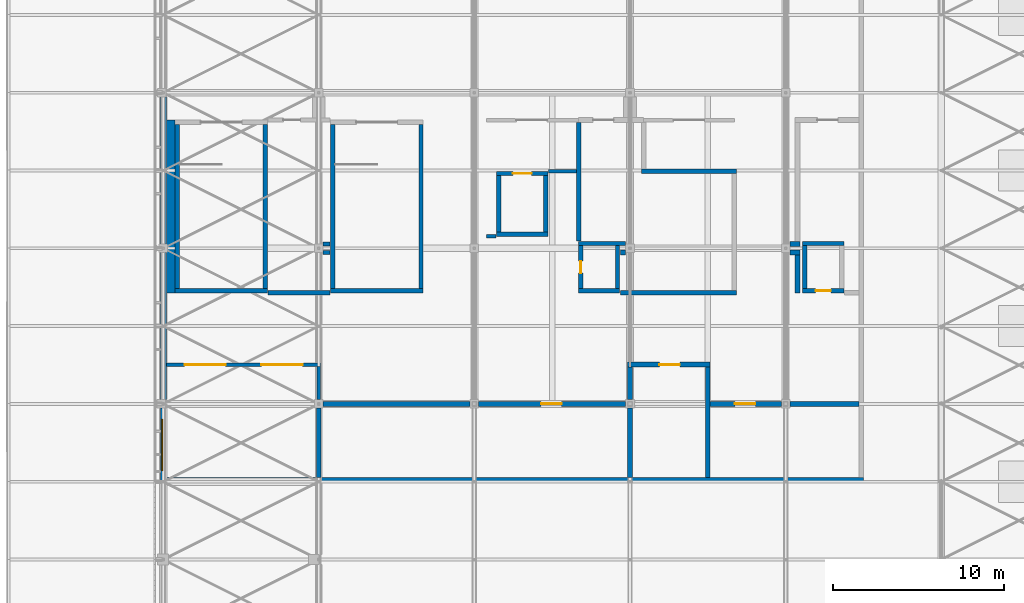
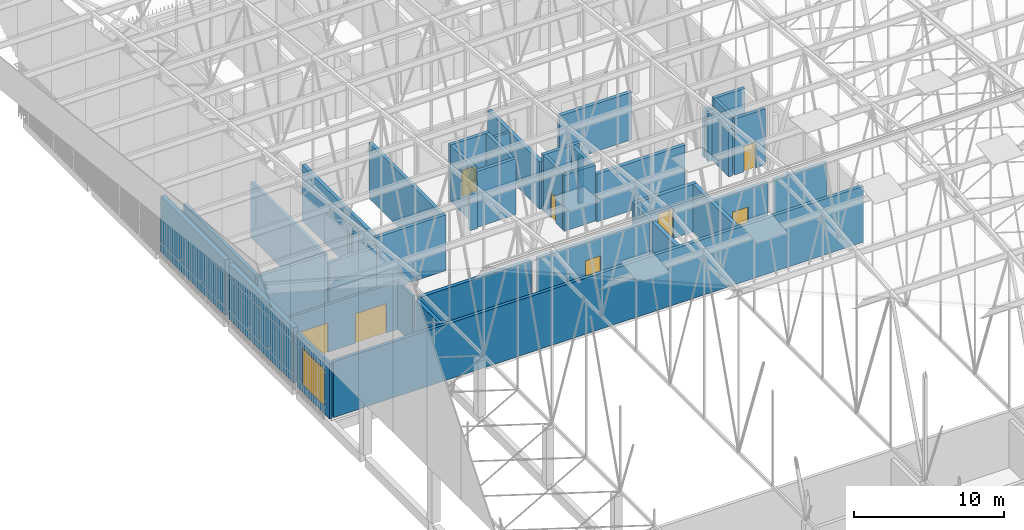
# One storey, part 429 of 500: 45 walls, 8 doors, 1 window, 9 openings.
"""IFC4 building model written with IfcOpenShell, lengths in metres."""

import ifcopenshell
import ifcopenshell.guid

model = None  # the IFC model being written
_history = None  # IfcOwnerHistory: only IFC2X3 demands one
_inside = {}  # id of a spatial element -> (the spatial element, [elements in it])
_under = {}  # id of a project, library or spatial element -> (it, [spatial elements below it])
_declared = {}  # id of a project -> (the project, [libraries it declares])
_typed = {}  # id of a type object -> (the type object, [elements of that type])
_made_of = {}  # id of a material, layer set ... -> (it, [elements and type objects made of it])


def new_model(schema):
    """Start an empty IFC model of exactly this schema.

    Asked for "IFC4X3", IfcOpenShell would pick the latest addendum, in which some entities
    have other attributes; the version numbers below select the first issue.
    IFC2X3 requires an IfcOwnerHistory on every rooted entity: one is made here for all.
    """
    global model, _history
    if schema == "IFC4X3":
        model = ifcopenshell.file(schema_version=(4, 3, 0, 0))
    else:
        model = ifcopenshell.file(schema=schema)
    _inside.clear()
    _under.clear()
    _declared.clear()
    _typed.clear()
    _made_of.clear()
    _history = None
    if model.schema == "IFC2X3":
        org = make("IfcOrganization", Name="unknown")
        user = make(
            "IfcPersonAndOrganization",
            ThePerson=make("IfcPerson", FamilyName="unknown"),
            TheOrganization=org,
        )
        app = make(
            "IfcApplication",
            ApplicationDeveloper=org,
            Version="unknown",
            ApplicationFullName="unknown",
            ApplicationIdentifier="unknown",
        )
        _history = make(
            "IfcOwnerHistory",
            OwningUser=user,
            OwningApplication=app,
            ChangeAction="ADDED",
            CreationDate=0,
        )
    return model


def make(cls, **values):
    """One entity of the class cls with the attributes given. An attribute that is None is left unset."""
    return model.create_entity(
        cls, **{name: value for name, value in values.items() if value is not None}
    )


def rooted(cls, **values):
    """An entity with a GlobalId (a new one), such as an element, a storey or a relation."""
    return make(cls, GlobalId=ifcopenshell.guid.new(), OwnerHistory=_history, **values)


def si_unit(unit_type, name, prefix=None):
    """IfcSIUnit, for example si_unit("LENGTHUNIT", "METRE", prefix="MILLI")."""
    return make("IfcSIUnit", UnitType=unit_type, Prefix=prefix, Name=name)


def assignment(units):
    """IfcUnitAssignment: the units of a project."""
    return None if units is None else make("IfcUnitAssignment", Units=units)


def point(xyz):
    """IfcCartesianPoint."""
    return None if xyz is None else make("IfcCartesianPoint", Coordinates=xyz)


def direction(xyz):
    """IfcDirection."""
    return None if xyz is None else make("IfcDirection", DirectionRatios=xyz)


def frame(location, z_axis=None, x_axis=None):
    """IfcAxis2Placement3D, a coordinate frame: its origin and axes. An axis left out is left unset."""
    return make(
        "IfcAxis2Placement3D",
        Location=point(location),
        Axis=direction(z_axis),
        RefDirection=direction(x_axis),
    )


def frame_2d(location, x_axis=None):
    """IfcAxis2Placement2D, a coordinate frame in the plane: its origin and x axis."""
    return make(
        "IfcAxis2Placement2D", Location=point(location), RefDirection=direction(x_axis)
    )


def origin():
    """The frame at (0, 0, 0) with its axes left unset."""
    return frame((0.0, 0.0, 0.0))


def place(relative_to, where):
    """IfcLocalPlacement: puts the frame where relative to a parent placement (None: the world)."""
    return make(
        "IfcLocalPlacement", PlacementRelTo=relative_to, RelativePlacement=where
    )


def context(
    kind, dimensions, precision=None, world=None, true_north=None, identifier=None
):
    """IfcGeometricRepresentationContext, for example the 3D "Model" context."""
    return make(
        "IfcGeometricRepresentationContext",
        ContextIdentifier=identifier,
        ContextType=kind,
        CoordinateSpaceDimension=dimensions,
        Precision=precision,
        WorldCoordinateSystem=world,
        TrueNorth=true_north,
    )


def subcontext(parent, identifier, kind, view, scale=None):
    """IfcGeometricRepresentationSubContext, for example "Body" below "Model"."""
    return make(
        "IfcGeometricRepresentationSubContext",
        ContextIdentifier=identifier,
        ContextType=kind,
        ParentContext=parent,
        TargetScale=scale,
        TargetView=view,
    )


def project(units=None, contexts=None):
    """IfcProject with its units and contexts."""
    return rooted(
        "IfcProject",
        Name="project",
        RepresentationContexts=contexts,
        UnitsInContext=assignment(units),
    )


def spatial(cls, under=None, at=None, **own):
    """A site, building, storey or space (cls), placed at a placement, below another one or the project."""
    s = rooted(cls, ObjectPlacement=at, **own)
    if under is not None:
        _under.setdefault(under.id(), (under, []))[1].append(s)
    return s


def profile(cls, at=None, kind="AREA", **sizes):
    """A parametric profile (cls). Its sizes go by their IFC names, for example OverallWidth=200.0."""
    return make(cls, ProfileType=kind, Position=at, **sizes)


def rectangle(**sizes):
    """IfcRectangleProfileDef."""
    return profile("IfcRectangleProfileDef", **sizes)


def extrude(swept, where, along, depth):
    """IfcExtrudedAreaSolid: the profile swept, set in the frame where, extruded along a direction by depth."""
    return make(
        "IfcExtrudedAreaSolid",
        SweptArea=swept,
        Position=where,
        ExtrudedDirection=direction(along),
        Depth=depth,
    )


def shape(context_of_items, identifier, shape_type, items):
    """IfcShapeRepresentation: the items that make up one representation, for example the "Body"."""
    return make(
        "IfcShapeRepresentation",
        ContextOfItems=context_of_items,
        RepresentationIdentifier=identifier,
        RepresentationType=shape_type,
        Items=items,
    )


def material(Name=None, Category=None):
    """IfcMaterial."""
    return make("IfcMaterial", Name=Name, Category=Category)


def layer(
    of_material, thickness, ventilated=None, Name=None, Category=None, Priority=None
):
    """IfcMaterialLayer: one layer of a wall or slab, of a material (None: an air gap)."""
    return make(
        "IfcMaterialLayer",
        Material=of_material,
        LayerThickness=thickness,
        IsVentilated=ventilated,
        Name=Name,
        Category=Category,
        Priority=Priority,
    )


def layer_set(layers, Name=None):
    """IfcMaterialLayerSet."""
    return make("IfcMaterialLayerSet", MaterialLayers=layers, LayerSetName=Name)


def made_of(thing, what):
    """Note that an element or type object is made of a material, layer set ...; save() writes the relation."""
    if what is not None:
        _made_of.setdefault(what.id(), (what, []))[1].append(thing)
    return thing


def type_object(cls, material=None, **own):
    """A type object (cls), such as IfcWallType, which elements share."""
    return made_of(rooted(cls, **own), material)


def element(
    cls,
    number,
    at=None,
    inside=None,
    cuts=None,
    type_object=None,
    material=None,
    context=None,
    identifier="Body",
    shape_type=None,
    held_by="IfcProductDefinitionShape",
    body=None,
    shapes=None,
    **own,
):
    """One element of the class cls, such as IfcWall. Its Tag is "e" and its number.

    at: its placement. inside: the storey or other place that contains it. cuts: it is an
    opening in that element (IfcRelVoidsElement). A single representation is given by context,
    identifier, shape_type and body (its items); several are given by shapes. held_by: the class
    of the entity that holds the representations. save() writes the other relations.
    """
    e = rooted(cls, Tag="e%d" % number, ObjectPlacement=at, **own)
    if body is not None:
        shapes = [shape(context, identifier, shape_type, body)]
    if shapes is not None:
        e.Representation = make(held_by, Representations=shapes)
    if inside is not None:
        _inside.setdefault(inside.id(), (inside, []))[1].append(e)
    if cuts is not None:
        rooted(
            "IfcRelVoidsElement", RelatingBuildingElement=cuts, RelatedOpeningElement=e
        )
    if type_object is not None:
        _typed.setdefault(type_object.id(), (type_object, []))[1].append(e)
    return made_of(e, material)


def fill(opening, filler):
    """IfcRelFillsElement: the door or window that sits in an opening."""
    return rooted(
        "IfcRelFillsElement",
        RelatingOpeningElement=opening,
        RelatedBuildingElement=filler,
    )


def aggregate(whole, parts):
    """IfcRelAggregates: a whole, such as a stair, and the parts it consists of."""
    return rooted("IfcRelAggregates", RelatingObject=whole, RelatedObjects=parts)


def save(model, path):
    """Write the relations noted so far, then the file.

    IfcRelAggregates (storeys below a building ...), IfcRelContainedInSpatialStructure (elements
    in a storey), IfcRelDefinesByType, IfcRelAssociatesMaterial and IfcRelDeclares: one each for
    every whole, place, type object, material and project.
    """
    for whole, parts in _under.values():
        aggregate(whole, parts)
    for where, things in _inside.values():
        rooted(
            "IfcRelContainedInSpatialStructure",
            RelatedElements=things,
            RelatingStructure=where,
        )
    for kind, things in _typed.values():
        rooted("IfcRelDefinesByType", RelatedObjects=things, RelatingType=kind)
    for what, things in _made_of.values():
        rooted("IfcRelAssociatesMaterial", RelatedObjects=things, RelatingMaterial=what)
    for by, libraries in _declared.values():
        rooted("IfcRelDeclares", RelatingContext=by, RelatedDefinitions=libraries)
    model.write(path)


model = new_model("IFC4")

# Units and contexts
model_context = context("Model", 3, precision=1e-05, world=origin(), true_north=direction((0.0, 1.0)))
body_context = subcontext(model_context, "Body", "Model", "MODEL_VIEW")
ifc_project = project(units=[si_unit("LENGTHUNIT", "METRE"), si_unit("AREAUNIT", "SQUARE_METRE"), si_unit("VOLUMEUNIT", "CUBIC_METRE"), si_unit("PLANEANGLEUNIT", "RADIAN"), si_unit("MASSUNIT", "GRAM", prefix="KILO")], contexts=[model_context])

# Site, building, storey
site_placement = place(None, origin())
site = spatial("IfcSite", under=ifc_project, at=site_placement, CompositionType="ELEMENT")
building_placement = place(site_placement, origin())
building = spatial("IfcBuilding", under=site, at=building_placement, Name="Shirokan Park Arena", CompositionType="ELEMENT")
storey_placement = place(building_placement, frame((0.0, 0.0, 29.1201171875)))
storey = spatial("IfcBuildingStorey", under=building, at=storey_placement, Name="L06", CompositionType="ELEMENT", Elevation=29.1201171875)

# Walls
ifc_material_1 = material(Name="Plaster")
ifc_layer_1 = layer(ifc_material_1, 0.014892578125, Name="Plaster")
ifc_material_2 = material(Name="Concrete blockwork", Category="masonry")
ifc_layer_2 = layer(ifc_material_2, 0.219970703125, Name="Concrete blockwork 220")
ifc_layer_3 = layer(ifc_material_1, 0.014892578125, Name="Plaster")
ifc_layer_set_1 = layer_set([ifc_layer_1, ifc_layer_2, ifc_layer_3], Name="Plaster + Concrete blockwork 220")
wall_type_1 = type_object("IfcWallType", Name="Compartment wall 250", PredefinedType="SOLIDWALL", material=ifc_layer_set_1)
wall_1_placement = place(storey_placement, frame((9.35009765625, 81.64990234375, 0.0), z_axis=(0.0, 0.0, 1.0), x_axis=(1.0, 0.0, 0.0)))
element("IfcWall", 1, at=wall_1_placement, inside=storey, type_object=wall_type_1, Name="Compartment wall 250 L06", PredefinedType="SOLIDWALL", context=body_context, shape_type="SweptSolid", body=[
    extrude(rectangle(XDim=0.419921875, YDim=0.25, at=frame_2d((0.2099609375, 0.0))), origin(), (0.0, 0.0, 1.0), 3.8798828125),
])
wall_2_placement = place(storey_placement, frame((9.77001953125, 79.300048828125, 0.0), z_axis=(0.0, 0.0, 1.0), x_axis=(-1.0, 0.0, 0.0)))
element("IfcWall", 2, at=wall_2_placement, inside=storey, type_object=wall_type_1, Name="Compartment wall 250 L06", PredefinedType="SOLIDWALL", context=body_context, shape_type="SweptSolid", body=[
    extrude(rectangle(XDim=3.64013671875, YDim=0.25, at=frame_2d((1.820068359375, 0.0))), origin(), (0.0, 0.0, 1.0), 3.8798828125),
])
wall_3_placement = place(storey_placement, frame((9.77001953125, 82.14990234375, 0.0), z_axis=(0.0, 0.0, 1.0), x_axis=(-1.0, 0.0, 0.0)))
element("IfcWall", 3, at=wall_3_placement, inside=storey, type_object=wall_type_1, Name="Compartment wall 250 L06", PredefinedType="SOLIDWALL", context=body_context, shape_type="SweptSolid", body=[
    extrude(rectangle(XDim=0.419921875, YDim=0.25, at=frame_2d((0.2099609375, 0.0))), origin(), (0.0, 0.0, 1.0), 3.8798828125),
])
ifc_material_3 = material(Name="Gypsum board")
ifc_layer_4 = layer(ifc_material_3, 0.02490234375, Name="Gypsum board, two layers")
ifc_material_4 = material(Name="Mineral wool insulation")
ifc_layer_5 = layer(ifc_material_4, 0.14990234375, Name="Mineral wool insulation")
ifc_layer_6 = layer(ifc_material_3, 0.02490234375, Name="Gypsum board, two layers")
ifc_layer_set_2 = layer_set([ifc_layer_4, ifc_layer_5, ifc_layer_6], Name="Gypsum board, two layers + Mineral wool insulation")
wall_type_2 = type_object("IfcWallType", Name="Corridor wall 200", PredefinedType="PARTITIONING", material=ifc_layer_set_2)
wall_4_placement = place(storey_placement, frame((9.10009765625, 73.050048828125, 0.0), z_axis=(0.0, 0.0, 1.0), x_axis=(0.0, 1.0, 0.0)))
element("IfcWall", 4, at=wall_4_placement, inside=storey, type_object=wall_type_2, Name="Corridor wall 200 L06", PredefinedType="PARTITIONING", context=body_context, shape_type="SweptSolid", body=[
    extrude(rectangle(XDim=1.949951171875, YDim=0.199951171875, at=frame_2d((0.97509765625, 0.0))), origin(), (0.0, 0.0, 1.0), 3.8798828125),
])

# Wall, openings, doors
wall_5_placement = place(storey_placement, frame((9.199951171875, 75.10009765625, 0.0), z_axis=(0.0, 0.0, 1.0), x_axis=(-1.0, 0.0, 0.0)))
wall_5 = element("IfcWall", 5, at=wall_5_placement, inside=storey, type_object=wall_type_2, Name="Corridor wall 200 L06", PredefinedType="PARTITIONING", context=body_context, shape_type="SweptSolid", body=[
    extrude(rectangle(XDim=9.0, YDim=0.199951171875, at=frame_2d((4.5, 0.0))), origin(), (0.0, 0.0, 1.0), 3.8798828125),
])
opening_1_placement = place(wall_5_placement, frame((1.050048828125, 0.0, 0.0)))
opening_1 = element("IfcOpeningElement", 6, at=opening_1_placement, cuts=wall_5, Name="Opening D-6056", PredefinedType="OPENING", context=body_context, shape_type="SweptSolid", body=[
    extrude(rectangle(XDim=2.39990234375, YDim=2.39990234375, at=frame_2d((1.199951171875, 1.199951171875))), frame((0.0, 0.10986328125, 0.0), z_axis=(0.0, -1.0, 0.0), x_axis=(1.0, 0.0, 0.0)), (0.0, 0.0, 1.0), 0.219970703125),
])
opening_2_placement = place(wall_5_placement, frame((5.550048828125, 0.0, 0.0)))
opening_2 = element("IfcOpeningElement", 7, at=opening_2_placement, cuts=wall_5, Name="Opening D-6057", PredefinedType="OPENING", context=body_context, shape_type="SweptSolid", body=[
    extrude(rectangle(XDim=2.39990234375, YDim=2.39990234375, at=frame_2d((1.199951171875, 1.199951171875))), frame((0.0, 0.10986328125, 0.0), z_axis=(0.0, -1.0, 0.0), x_axis=(1.0, 0.0, 0.0)), (0.0, 0.0, 1.0), 0.219970703125),
])
ifc_material_5 = material(Name="Steel door set, fire resisting", Category="steel")
door_type_1 = type_object("IfcDoorType", Name="Double door 2400 x 2400", OperationType="DOUBLE_DOOR_SINGLE_SWING", PredefinedType="DOOR", material=ifc_material_5)
door_1_placement = place(opening_1_placement, origin())
door_1 = element("IfcDoor", 8, at=door_1_placement, inside=storey, type_object=door_type_1, Name="Door between Service Corridor 4.6 and Concourse Link 4.6 D-6056", OperationType="DOUBLE_DOOR_SINGLE_SWING", OverallHeight=2.39990234375, OverallWidth=2.39990234375, PredefinedType="DOOR", context=body_context, shape_type="SweptSolid", body=[
    extrude(rectangle(XDim=2.39990234375, YDim=2.39990234375, at=frame_2d((1.199951171875, 1.199951171875))), frame((0.0, 0.02490234375, 0.0), z_axis=(0.0, -1.0, 0.0), x_axis=(1.0, 0.0, 0.0)), (0.0, 0.0, 1.0), 0.050048828125),
])
fill(opening_1, door_1)
door_2_placement = place(opening_2_placement, origin())
door_2 = element("IfcDoor", 9, at=door_2_placement, inside=storey, type_object=door_type_1, Name="Door between Service Corridor 4.6 and Concourse Link 4.6 D-6057", OperationType="DOUBLE_DOOR_SINGLE_SWING", OverallHeight=2.39990234375, OverallWidth=2.39990234375, PredefinedType="DOOR", context=body_context, shape_type="SweptSolid", body=[
    extrude(rectangle(XDim=2.39990234375, YDim=2.39990234375, at=frame_2d((1.199951171875, 1.199951171875))), frame((0.0, 0.02490234375, 0.0), z_axis=(0.0, -1.0, 0.0), x_axis=(1.0, 0.0, 0.0)), (0.0, 0.0, 1.0), 0.050048828125),
])
fill(opening_2, door_2)

# Walls
wall_6_placement = place(storey_placement, frame((19.469970703125, 82.60009765625, 0.0), z_axis=(0.0, 0.0, 1.0), x_axis=(-1.0, 0.0, 0.0)))
element("IfcWall", 10, at=wall_6_placement, inside=storey, type_object=wall_type_2, Name="Corridor wall 200 L06", PredefinedType="PARTITIONING", context=body_context, shape_type="SweptSolid", body=[
    extrude(rectangle(XDim=0.570068359375, YDim=0.199951171875, at=frame_2d((0.28515625, 0.0))), origin(), (0.0, 0.0, 1.0), 3.8798828125),
])
wall_7_placement = place(storey_placement, frame((24.16259765625, 86.39990234375, 0.0), z_axis=(0.0, 0.0, 1.0), x_axis=(-1.0, 0.0, 0.0)))
element("IfcWall", 11, at=wall_7_placement, inside=storey, type_object=wall_type_2, Name="Corridor wall 200 L06", PredefinedType="PARTITIONING", context=body_context, shape_type="SweptSolid", body=[
    extrude(rectangle(XDim=1.632568359375, YDim=0.199951171875, at=frame_2d((0.81640625, 0.0))), origin(), (0.0, 0.0, 1.0), 3.8798828125),
])
ifc_material_6 = material(Name="Cedar cladding")
ifc_layer_7 = layer(ifc_material_6, 0.030029296875, Name="Cedar cladding")
ifc_layer_8 = layer(ifc_material_4, 0.10009765625, Name="Mineral wool insulation")
ifc_material_7 = material(Name="Concrete C35", Category="concrete")
ifc_layer_9 = layer(ifc_material_7, 0.199951171875, Name="Concrete C35")
ifc_material_8 = material(Name="Gypsum board lining")
ifc_layer_10 = layer(ifc_material_8, 0.02001953125, Name="Gypsum board lining")
ifc_layer_set_3 = layer_set([ifc_layer_7, ifc_layer_8, ifc_layer_9, ifc_layer_10], Name="Cedar cladding + Mineral wool insulation + Concrete C35 + Gypsum board lining")
wall_type_3 = type_object("IfcWallType", Name="Insulated tower wall 350", PredefinedType="SOLIDWALL", material=ifc_layer_set_3)
wall_8_placement = place(storey_placement, frame((0.02490234375, 90.75, 0.0), z_axis=(0.0, 0.0, 1.0), x_axis=(0.0, -1.0, 0.0)))
element("IfcWall", 12, at=wall_8_placement, inside=storey, type_object=wall_type_3, Name="West facade wall bay 3 L06", PredefinedType="SOLIDWALL", context=body_context, shape_type="SweptSolid", body=[
    extrude(rectangle(XDim=8.60009765625, YDim=0.35009765625, at=frame_2d((4.300048828125, 0.0))), origin(), (0.0, 0.0, 1.0), 4.5),
])
wall_9_placement = place(storey_placement, frame((0.02490234375, 81.64990234375, 0.0), z_axis=(0.0, 0.0, 1.0), x_axis=(0.0, -1.0, 0.0)))
element("IfcWall", 13, at=wall_9_placement, inside=storey, type_object=wall_type_3, Name="West facade wall bay 4 L06", PredefinedType="SOLIDWALL", context=body_context, shape_type="SweptSolid", body=[
    extrude(rectangle(XDim=8.599853515625, YDim=0.35009765625, at=frame_2d((4.2998046875, 0.0))), origin(), (0.0, 0.0, 1.0), 4.5),
])

# Wall, opening, window
ifc_layer_11 = layer(ifc_material_7, 0.14990234375, Name="Concrete C35")
ifc_layer_12 = layer(ifc_material_4, 0.050048828125, Name="Mineral wool insulation")
ifc_layer_set_4 = layer_set([ifc_layer_11, ifc_layer_12], Name="Concrete C35 + Mineral wool insulation")
wall_type_4 = type_object("IfcWallType", Name="Plant gallery wall 200", PredefinedType="SOLIDWALL", material=ifc_layer_set_4)
wall_10_placement = place(storey_placement, frame((-0.050048828125, 72.550048828125, 0.0), z_axis=(0.0, 0.0, 1.0), x_axis=(0.0, -1.0, 0.0)))
wall_10 = element("IfcWall", 14, at=wall_10_placement, inside=storey, type_object=wall_type_4, Name="West facade wall bay 5 L06", PredefinedType="SOLIDWALL", context=body_context, shape_type="SweptSolid", body=[
    extrude(rectangle(XDim=4.300048828125, YDim=0.199951171875, at=frame_2d((2.14990234375, 0.0))), origin(), (0.0, 0.0, 1.0), 4.5),
])
opening_3_placement = place(wall_10_placement, frame((0.64990234375, 0.0, 0.60009765625)))
opening_3 = element("IfcOpeningElement", 15, at=opening_3_placement, cuts=wall_10, Name="Opening W2", PredefinedType="OPENING", context=body_context, shape_type="SweptSolid", body=[
    extrude(rectangle(XDim=3.0, YDim=3.0, at=frame_2d((1.5, 1.5))), frame((0.0, 0.10986328125, 0.0), z_axis=(0.0, -1.0, 0.0), x_axis=(1.0, 0.0, 0.0)), (0.0, 0.0, 1.0), 0.219970703125),
])
ifc_material_9 = material(Name="Aluminium louvre", Category="aluminium")
window_type = type_object("IfcWindowType", Name="Plant louvre 3000x3000", PartitioningType="DOUBLE_PANEL_VERTICAL", PredefinedType="WINDOW", material=ifc_material_9)
window_placement = place(opening_3_placement, origin())
window = element("IfcWindow", 16, at=window_placement, inside=storey, type_object=window_type, Name="Plant louvre 3000x3000 west bay 5 L06", OverallHeight=3.0, OverallWidth=3.0, PartitioningType="SINGLE_PANEL", PredefinedType="WINDOW", context=body_context, shape_type="SweptSolid", body=[
    extrude(rectangle(XDim=3.0, YDim=3.0, at=frame_2d((1.5, 1.5))), frame((0.0, 0.030029296875, 0.0), z_axis=(0.0, -1.0, 0.0), x_axis=(1.0, 0.0, 0.0)), (0.0, 0.0, 1.0), 0.06005859375),
])
fill(opening_3, window)

# Walls
ifc_layer_13 = layer(ifc_material_1, 0.012451171875, Name="Plaster")
ifc_layer_14 = layer(ifc_material_2, 0.25, Name="Concrete blockwork 250")
ifc_layer_15 = layer(ifc_material_1, 0.012451171875, Name="Plaster")
ifc_layer_set_5 = layer_set([ifc_layer_13, ifc_layer_14, ifc_layer_15], Name="Plaster + Concrete blockwork 250")
wall_type_5 = type_object("IfcWallType", Name="Plant room wall 275", PredefinedType="SOLIDWALL", material=ifc_layer_set_5)
wall_11_placement = place(storey_placement, frame((9.10009765625, 68.5, 0.0), z_axis=(0.0, 0.0, 1.0), x_axis=(0.0, 1.0, 0.0)))
element("IfcWall", 17, at=wall_11_placement, inside=storey, type_object=wall_type_5, Name="Plant room wall 275 L06", PredefinedType="SOLIDWALL", context=body_context, shape_type="SweptSolid", body=[
    extrude(rectangle(XDim=4.050048828125, YDim=0.27490234375, at=frame_2d((2.02490234375, 0.0))), origin(), (0.0, 0.0, 1.0), 3.8798828125),
])
wall_12_placement = place(storey_placement, frame((9.35009765625, 72.800048828125, 0.0), z_axis=(0.0, 0.0, 1.0), x_axis=(1.0, 0.0, 0.0)))
element("IfcWall", 18, at=wall_12_placement, inside=storey, type_object=wall_type_5, Name="Plant room wall 275 L06", PredefinedType="SOLIDWALL", context=body_context, shape_type="SweptSolid", body=[
    extrude(rectangle(XDim=8.599853515625, YDim=0.27490234375, at=frame_2d((4.2998046875, 0.0))), origin(), (0.0, 0.0, 1.0), 3.8798828125),
])

# Wall, opening, door
wall_13_placement = place(storey_placement, frame((18.449951171875, 72.800048828125, 0.0), z_axis=(0.0, 0.0, 1.0), x_axis=(1.0, 0.0, 0.0)))
wall_13 = element("IfcWall", 19, at=wall_13_placement, inside=storey, type_object=wall_type_5, Name="Plant room wall 275 L06", PredefinedType="SOLIDWALL", context=body_context, shape_type="SweptSolid", body=[
    extrude(rectangle(XDim=8.60009765625, YDim=0.27490234375, at=frame_2d((4.300048828125, 0.0))), origin(), (0.0, 0.0, 1.0), 3.8798828125),
])
opening_4_placement = place(wall_13_placement, frame((3.64990234375, 0.0, 0.0)))
opening_4 = element("IfcOpeningElement", 20, at=opening_4_placement, cuts=wall_13, Name="Opening D-6039", PredefinedType="OPENING", context=body_context, shape_type="SweptSolid", body=[
    extrude(rectangle(XDim=1.199951171875, YDim=2.39990234375, at=frame_2d((0.60009765625, 1.199951171875))), frame((0.0, 0.1474609375, 0.0), z_axis=(0.0, -1.0, 0.0), x_axis=(1.0, 0.0, 0.0)), (0.0, 0.0, 1.0), 0.294921875),
])
ifc_material_10 = material(Name="Louvred steel door set, fire resisting", Category="steel")
door_type_2 = type_object("IfcDoorType", Name="Plant room door 1200 x 2400", OperationType="SINGLE_SWING_LEFT", PredefinedType="DOOR", material=ifc_material_10)
door_3_placement = place(opening_4_placement, origin())
door_3 = element("IfcDoor", 21, at=door_3_placement, inside=storey, type_object=door_type_2, Name="Door to Generator Room 6.41 D-6039", OperationType="SINGLE_SWING_LEFT", OverallHeight=2.39990234375, OverallWidth=1.199951171875, PredefinedType="DOOR", context=body_context, shape_type="SweptSolid", body=[
    extrude(rectangle(XDim=1.199951171875, YDim=2.39990234375, at=frame_2d((0.60009765625, 1.199951171875))), frame((0.0, 0.02490234375, 0.0), z_axis=(0.0, -1.0, 0.0), x_axis=(1.0, 0.0, 0.0)), (0.0, 0.0, 1.0), 0.050048828125),
])
fill(opening_4, door_3)

# Walls
wall_14_placement = place(storey_placement, frame((24.300048828125, 82.330078125, 0.0), z_axis=(0.0, 0.0, 1.0), x_axis=(0.0, 1.0, 0.0)))
element("IfcWall", 22, at=wall_14_placement, inside=storey, type_object=wall_type_5, Name="Plant room wall 275 L06", PredefinedType="SOLIDWALL", context=body_context, shape_type="SweptSolid", body=[
    extrude(rectangle(XDim=6.932373046875, YDim=0.27490234375, at=frame_2d((3.46630859375, 0.0))), origin(), (0.0, 0.0, 1.0), 3.8798828125),
])
wall_15_placement = place(storey_placement, frame((26.72998046875, 81.64990234375, 0.0), z_axis=(0.0, 0.0, 1.0), x_axis=(1.0, 0.0, 0.0)))
element("IfcWall", 23, at=wall_15_placement, inside=storey, type_object=wall_type_5, Name="Plant room wall 275 L06", PredefinedType="SOLIDWALL", context=body_context, shape_type="SweptSolid", body=[
    extrude(rectangle(XDim=0.320068359375, YDim=0.27490234375, at=frame_2d((0.16015625, 0.0))), origin(), (0.0, 0.0, 1.0), 3.8798828125),
])

# Wall, opening, door
wall_16_placement = place(storey_placement, frame((27.16259765625, 75.10009765625, 0.0), z_axis=(0.0, 0.0, 1.0), x_axis=(1.0, 0.0, 0.0)))
wall_16 = element("IfcWall", 24, at=wall_16_placement, inside=storey, type_object=wall_type_5, Name="Plant room wall 275 L06", PredefinedType="SOLIDWALL", context=body_context, shape_type="SweptSolid", body=[
    extrude(rectangle(XDim=4.824951171875, YDim=0.27490234375, at=frame_2d((2.41259765625, 0.0))), origin(), (0.0, 0.0, 1.0), 3.8798828125),
])
opening_5_placement = place(wall_16_placement, frame((1.85009765625, 0.0, 0.0)))
opening_5 = element("IfcOpeningElement", 25, at=opening_5_placement, cuts=wall_16, Name="Opening D-6040", PredefinedType="OPENING", context=body_context, shape_type="SweptSolid", body=[
    extrude(rectangle(XDim=1.199951171875, YDim=2.39990234375, at=frame_2d((0.60009765625, 1.199951171875))), frame((0.0, 0.1474609375, 0.0), z_axis=(0.0, -1.0, 0.0), x_axis=(1.0, 0.0, 0.0)), (0.0, 0.0, 1.0), 0.294921875),
])
door_4_placement = place(opening_5_placement, origin())
door_4 = element("IfcDoor", 26, at=door_4_placement, inside=storey, type_object=door_type_2, Name="Door to Fuel Store 6.42 D-6040", OperationType="SINGLE_SWING_RIGHT", OverallHeight=2.39990234375, OverallWidth=1.199951171875, PredefinedType="DOOR", context=body_context, shape_type="SweptSolid", body=[
    extrude(rectangle(XDim=1.199951171875, YDim=2.39990234375, at=frame_2d((0.60009765625, 1.199951171875))), frame((0.0, 0.02490234375, 0.0), z_axis=(0.0, -1.0, 0.0), x_axis=(1.0, 0.0, 0.0)), (0.0, 0.0, 1.0), 0.050048828125),
])
fill(opening_5, door_4)

# Walls
wall_17_placement = place(storey_placement, frame((27.300048828125, 72.550048828125, 0.0), z_axis=(0.0, 0.0, 1.0), x_axis=(0.0, -1.0, 0.0)))
element("IfcWall", 27, at=wall_17_placement, inside=storey, type_object=wall_type_5, Name="Plant room wall 275 L06", PredefinedType="SOLIDWALL", context=body_context, shape_type="SweptSolid", body=[
    extrude(rectangle(XDim=4.050048828125, YDim=0.27490234375, at=frame_2d((2.02490234375, 0.0))), origin(), (0.0, 0.0, 1.0), 3.8798828125),
])
wall_18_placement = place(storey_placement, frame((27.300048828125, 73.050048828125, 0.0), z_axis=(0.0, 0.0, 1.0), x_axis=(0.0, 1.0, 0.0)))
element("IfcWall", 28, at=wall_18_placement, inside=storey, type_object=wall_type_5, Name="Plant room wall 275 L06", PredefinedType="SOLIDWALL", context=body_context, shape_type="SweptSolid", body=[
    extrude(rectangle(XDim=1.912353515625, YDim=0.27490234375, at=frame_2d((0.9560546875, 0.0))), origin(), (0.0, 0.0, 1.0), 3.8798828125),
])
wall_19_placement = place(storey_placement, frame((27.96240234375, 86.39990234375, 0.0), z_axis=(0.0, 0.0, 1.0), x_axis=(1.0, 0.0, 0.0)))
element("IfcWall", 29, at=wall_19_placement, inside=storey, type_object=wall_type_5, Name="Plant room wall 275 L06", PredefinedType="SOLIDWALL", context=body_context, shape_type="SweptSolid", body=[
    extrude(rectangle(XDim=5.5751953125, YDim=0.27490234375, at=frame_2d((2.78759765625, 0.0))), origin(), (0.0, 0.0, 1.0), 3.8798828125),
])
wall_20_placement = place(storey_placement, frame((26.72998046875, 79.300048828125, 0.0), z_axis=(0.0, 0.0, 1.0), x_axis=(1.0, 0.0, 0.0)))
element("IfcWall", 30, at=wall_20_placement, inside=storey, type_object=wall_type_5, Name="Plant room wall 275 L06", PredefinedType="SOLIDWALL", context=body_context, shape_type="SweptSolid", body=[
    extrude(rectangle(XDim=6.8076171875, YDim=0.27490234375, at=frame_2d((3.40380859375, 0.0))), origin(), (0.0, 0.0, 1.0), 3.8798828125),
])
wall_21_placement = place(storey_placement, frame((31.85009765625, 68.5, 0.0), z_axis=(0.0, 0.0, 1.0), x_axis=(0.0, 1.0, 0.0)))
element("IfcWall", 31, at=wall_21_placement, inside=storey, type_object=wall_type_5, Name="Plant room wall 275 L06", PredefinedType="SOLIDWALL", context=body_context, shape_type="SweptSolid", body=[
    extrude(rectangle(XDim=6.46240234375, YDim=0.27490234375, at=frame_2d((3.231201171875, 0.0))), origin(), (0.0, 0.0, 1.0), 3.8798828125),
])

# Wall, opening, door
wall_22_placement = place(storey_placement, frame((31.987548828125, 72.800048828125, 0.0), z_axis=(0.0, 0.0, 1.0), x_axis=(1.0, 0.0, 0.0)))
wall_22 = element("IfcWall", 32, at=wall_22_placement, inside=storey, type_object=wall_type_5, Name="Plant room wall 275 L06", PredefinedType="SOLIDWALL", context=body_context, shape_type="SweptSolid", body=[
    extrude(rectangle(XDim=4.162353515625, YDim=0.27490234375, at=frame_2d((2.0810546875, 0.0))), origin(), (0.0, 0.0, 1.0), 3.8798828125),
])
opening_6_placement = place(wall_22_placement, frame((1.449951171875, 0.0, 0.0)))
opening_6 = element("IfcOpeningElement", 33, at=opening_6_placement, cuts=wall_22, Name="Opening D-6041", PredefinedType="OPENING", context=body_context, shape_type="SweptSolid", body=[
    extrude(rectangle(XDim=1.199951171875, YDim=2.39990234375, at=frame_2d((0.60009765625, 1.199951171875))), frame((0.0, 0.1474609375, 0.0), z_axis=(0.0, -1.0, 0.0), x_axis=(1.0, 0.0, 0.0)), (0.0, 0.0, 1.0), 0.294921875),
])
door_5_placement = place(opening_6_placement, origin())
door_5 = element("IfcDoor", 34, at=door_5_placement, inside=storey, type_object=door_type_2, Name="Door to Control Panel Room 6.43 D-6041", OperationType="SINGLE_SWING_LEFT", OverallHeight=2.39990234375, OverallWidth=1.199951171875, PredefinedType="DOOR", context=body_context, shape_type="SweptSolid", body=[
    extrude(rectangle(XDim=1.199951171875, YDim=2.39990234375, at=frame_2d((0.60009765625, 1.199951171875))), frame((0.0, 0.02490234375, 0.0), z_axis=(0.0, -1.0, 0.0), x_axis=(1.0, 0.0, 0.0)), (0.0, 0.0, 1.0), 0.050048828125),
])
fill(opening_6, door_5)

# Walls
wall_23_placement = place(storey_placement, frame((36.64990234375, 72.800048828125, 0.0), z_axis=(0.0, 0.0, 1.0), x_axis=(1.0, 0.0, 0.0)))
element("IfcWall", 35, at=wall_23_placement, inside=storey, type_object=wall_type_5, Name="Plant room wall 275 L06", PredefinedType="SOLIDWALL", context=body_context, shape_type="SweptSolid", body=[
    extrude(rectangle(XDim=4.050048828125, YDim=0.27490234375, at=frame_2d((2.02490234375, 0.0))), origin(), (0.0, 0.0, 1.0), 3.8798828125),
])
wall_24_placement = place(storey_placement, frame((36.64990234375, 81.64990234375, 0.0), z_axis=(0.0, 0.0, 1.0), x_axis=(1.0, 0.0, 0.0)))
element("IfcWall", 36, at=wall_24_placement, inside=storey, type_object=wall_type_5, Name="Plant room wall 275 L06", PredefinedType="SOLIDWALL", context=body_context, shape_type="SweptSolid", body=[
    extrude(rectangle(XDim=0.587646484375, YDim=0.27490234375, at=frame_2d((0.2939453125, 0.0))), origin(), (0.0, 0.0, 1.0), 3.8798828125),
])
wall_25_placement = place(storey_placement, frame((37.10009765625, 81.512451171875, 0.0), z_axis=(0.0, 0.0, 1.0), x_axis=(0.0, -1.0, 0.0)))
element("IfcWall", 37, at=wall_25_placement, inside=storey, type_object=wall_type_5, Name="Plant room wall 275 L06", PredefinedType="SOLIDWALL", context=body_context, shape_type="SweptSolid", body=[
    extrude(rectangle(XDim=2.21240234375, YDim=0.27490234375, at=frame_2d((1.106201171875, 0.0))), origin(), (0.0, 0.0, 1.0), 3.8798828125),
])
wall_26_placement = place(storey_placement, frame((37.237548828125, 82.14990234375, 0.0), z_axis=(0.0, 0.0, 1.0), x_axis=(-1.0, 0.0, 0.0)))
element("IfcWall", 38, at=wall_26_placement, inside=storey, type_object=wall_type_5, Name="Plant room wall 275 L06", PredefinedType="SOLIDWALL", context=body_context, shape_type="SweptSolid", body=[
    extrude(rectangle(XDim=0.587646484375, YDim=0.27490234375, at=frame_2d((0.2939453125, 0.0))), origin(), (0.0, 0.0, 1.0), 3.8798828125),
])
ifc_layer_16 = layer(ifc_material_7, 0.25)
ifc_layer_set_6 = layer_set([ifc_layer_16], Name="Concrete C35 250 mm")
wall_type_6 = type_object("IfcWallType", Name="RC flank wall 250", PredefinedType="SHEAR", material=ifc_layer_set_6)
wall_27_placement = place(storey_placement, frame((40.949951171875, 68.375, 0.0), z_axis=(0.0, 0.0, 1.0), x_axis=(-1.0, 0.0, 0.0)))
element("IfcWall", 39, at=wall_27_placement, inside=storey, type_object=wall_type_6, Name="Flank wall W2 L06", PredefinedType="SHEAR", context=body_context, shape_type="SweptSolid", body=[
    extrude(rectangle(XDim=40.77490234375, YDim=0.25, at=frame_2d((20.387451171875, 0.0))), origin(), (0.0, 0.0, 1.0), 4.5498046875),
])

# Wall, opening, door
ifc_material_11 = material(Name="Concrete C40/50", Category="concrete")
ifc_layer_17 = layer(ifc_material_11, 0.25)
ifc_layer_set_7 = layer_set([ifc_layer_17], Name="Concrete C40/50 250 mm")
wall_type_7 = type_object("IfcWallType", Name="RC shear wall 250", PredefinedType="SHEAR", material=ifc_layer_set_7)
wall_28_placement = place(storey_placement, frame((39.800048828125, 79.425048828125, 0.0), z_axis=(0.0, 0.0, 1.0), x_axis=(-1.0, 0.0, 0.0)))
wall_28 = element("IfcWall", 40, at=wall_28_placement, inside=storey, type_object=wall_type_7, Name="Shaft wall Services Riser 4.1 S L06", PredefinedType="SHEAR", context=body_context, shape_type="SweptSolid", body=[
    extrude(rectangle(XDim=2.400146484375, YDim=0.25, at=frame_2d((1.2001953125, 0.0))), origin(), (0.0, 0.0, 1.0), 4.5498046875),
])
opening_7_placement = place(wall_28_placement, frame((0.75, 0.0, 0.0)))
opening_7 = element("IfcOpeningElement", 41, at=opening_7_placement, cuts=wall_28, Name="Opening D-6066", PredefinedType="OPENING", context=body_context, shape_type="SweptSolid", body=[
    extrude(rectangle(XDim=0.89990234375, YDim=2.10009765625, at=frame_2d((0.449951171875, 1.050048828125))), frame((0.0, 0.135009765625, 0.0), z_axis=(0.0, -1.0, 0.0), x_axis=(1.0, 0.0, 0.0)), (0.0, 0.0, 1.0), 0.27001953125),
])
door_type_3 = type_object("IfcDoorType", Name="Electrical riser door 900 x 2100", OperationType="SINGLE_SWING_LEFT", PredefinedType="DOOR", material=ifc_material_5)
door_6_placement = place(opening_7_placement, origin())
door_6 = element("IfcDoor", 42, at=door_6_placement, inside=storey, type_object=door_type_3, Name="Riser access door Services Riser 4.1 D-6066", OperationType="SINGLE_SWING_RIGHT", OverallHeight=2.10009765625, OverallWidth=0.89990234375, PredefinedType="DOOR", context=body_context, shape_type="SweptSolid", body=[
    extrude(rectangle(XDim=0.89990234375, YDim=2.10009765625, at=frame_2d((0.449951171875, 1.050048828125))), frame((0.0, 0.02490234375, 0.0), z_axis=(0.0, -1.0, 0.0), x_axis=(1.0, 0.0, 0.0)), (0.0, 0.0, 1.0), 0.050048828125),
])
fill(opening_7, door_6)

# Walls
wall_29_placement = place(storey_placement, frame((39.800048828125, 82.175048828125, 0.0), z_axis=(0.0, 0.0, 1.0), x_axis=(-1.0, 0.0, 0.0)))
element("IfcWall", 43, at=wall_29_placement, inside=storey, type_object=wall_type_7, Name="Shaft wall Services Riser 4.1 N L06", PredefinedType="SHEAR", context=body_context, shape_type="SweptSolid", body=[
    extrude(rectangle(XDim=2.400146484375, YDim=0.25, at=frame_2d((1.2001953125, 0.0))), origin(), (0.0, 0.0, 1.0), 4.5498046875),
])
wall_30_placement = place(storey_placement, frame((37.52490234375, 82.050048828125, 0.0), z_axis=(0.0, 0.0, 1.0), x_axis=(0.0, -1.0, 0.0)))
element("IfcWall", 44, at=wall_30_placement, inside=storey, type_object=wall_type_7, Name="Shaft wall Services Riser 4.1 W L06", PredefinedType="SHEAR", context=body_context, shape_type="SweptSolid", body=[
    extrude(rectangle(XDim=2.5, YDim=0.25, at=frame_2d((1.25, 0.0))), origin(), (0.0, 0.0, 1.0), 4.5498046875),
])
wall_31_placement = place(storey_placement, frame((26.699951171875, 79.425048828125, 0.0), z_axis=(0.0, 0.0, 1.0), x_axis=(-1.0, 0.0, 0.0)))
element("IfcWall", 45, at=wall_31_placement, inside=storey, type_object=wall_type_7, Name="Shaft wall Services Riser 4.2 S L06", PredefinedType="SHEAR", context=body_context, shape_type="SweptSolid", body=[
    extrude(rectangle(XDim=2.39990234375, YDim=0.25, at=frame_2d((1.199951171875, 0.0))), origin(), (0.0, 0.0, 1.0), 4.5498046875),
])
wall_32_placement = place(storey_placement, frame((27.050048828125, 82.175048828125, 0.0), z_axis=(0.0, 0.0, 1.0), x_axis=(-1.0, 0.0, 0.0)))
element("IfcWall", 46, at=wall_32_placement, inside=storey, type_object=wall_type_7, Name="Shaft wall Services Riser 4.2 N L06", PredefinedType="SHEAR", context=body_context, shape_type="SweptSolid", body=[
    extrude(rectangle(XDim=2.75, YDim=0.25, at=frame_2d((1.375, 0.0))), origin(), (0.0, 0.0, 1.0), 4.5498046875),
])

# Wall, opening, door
wall_33_placement = place(storey_placement, frame((24.425048828125, 82.050048828125, 0.0), z_axis=(0.0, 0.0, 1.0), x_axis=(0.0, -1.0, 0.0)))
wall_33 = element("IfcWall", 47, at=wall_33_placement, inside=storey, type_object=wall_type_7, Name="Shaft wall Services Riser 4.2 W L06", PredefinedType="SHEAR", context=body_context, shape_type="SweptSolid", body=[
    extrude(rectangle(XDim=2.5, YDim=0.25, at=frame_2d((1.25, 0.0))), origin(), (0.0, 0.0, 1.0), 4.5498046875),
])
opening_8_placement = place(wall_33_placement, frame((0.89990234375, 0.0, 0.0)))
opening_8 = element("IfcOpeningElement", 48, at=opening_8_placement, cuts=wall_33, Name="Opening D-6067", PredefinedType="OPENING", context=body_context, shape_type="SweptSolid", body=[
    extrude(rectangle(XDim=0.699951171875, YDim=2.10009765625, at=frame_2d((0.35009765625, 1.050048828125))), frame((0.0, 0.135009765625, 0.0), z_axis=(0.0, -1.0, 0.0), x_axis=(1.0, 0.0, 0.0)), (0.0, 0.0, 1.0), 0.27001953125),
])
door_type_4 = type_object("IfcDoorType", Name="Mechanical riser door 700 x 2100", OperationType="SINGLE_SWING_LEFT", PredefinedType="DOOR", material=ifc_material_5)
door_7_placement = place(opening_8_placement, origin())
door_7 = element("IfcDoor", 49, at=door_7_placement, inside=storey, type_object=door_type_4, Name="Riser access door Services Riser 4.2 D-6067", OperationType="SINGLE_SWING_LEFT", OverallHeight=2.10009765625, OverallWidth=0.699951171875, PredefinedType="DOOR", context=body_context, shape_type="SweptSolid", body=[
    extrude(rectangle(XDim=0.699951171875, YDim=2.10009765625, at=frame_2d((0.35009765625, 1.050048828125))), frame((0.0, 0.02490234375, 0.0), z_axis=(0.0, -1.0, 0.0), x_axis=(1.0, 0.0, 0.0)), (0.0, 0.0, 1.0), 0.050048828125),
])
fill(opening_8, door_7)

# Walls
wall_34_placement = place(storey_placement, frame((26.574951171875, 82.050048828125, 0.0), z_axis=(0.0, 0.0, 1.0), x_axis=(0.0, -1.0, 0.0)))
element("IfcWall", 50, at=wall_34_placement, inside=storey, type_object=wall_type_7, Name="Shaft wall Services Riser 4.2 E L06", PredefinedType="SHEAR", context=body_context, shape_type="SweptSolid", body=[
    extrude(rectangle(XDim=2.5, YDim=0.25, at=frame_2d((1.25, 0.0))), origin(), (0.0, 0.0, 1.0), 4.5498046875),
])
wall_35_placement = place(storey_placement, frame((22.5, 82.72509765625, 0.0), z_axis=(0.0, 0.0, 1.0), x_axis=(-1.0, 0.0, 0.0)))
element("IfcWall", 51, at=wall_35_placement, inside=storey, type_object=wall_type_7, Name="Shaft wall Service Lift 4 S L06", PredefinedType="SHEAR", context=body_context, shape_type="SweptSolid", body=[
    extrude(rectangle(XDim=3.0, YDim=0.25, at=frame_2d((1.5, 0.0))), origin(), (0.0, 0.0, 1.0), 4.5498046875),
])

# Wall, opening, door
wall_36_placement = place(storey_placement, frame((22.5, 86.27490234375, 0.0), z_axis=(0.0, 0.0, 1.0), x_axis=(-1.0, 0.0, 0.0)))
wall_36 = element("IfcWall", 52, at=wall_36_placement, inside=storey, type_object=wall_type_7, Name="Shaft wall Service Lift 4 N L06", PredefinedType="SHEAR", context=body_context, shape_type="SweptSolid", body=[
    extrude(rectangle(XDim=3.0, YDim=0.25, at=frame_2d((1.5, 0.0))), origin(), (0.0, 0.0, 1.0), 4.5498046875),
])
opening_9_placement = place(wall_36_placement, frame((0.949951171875, 0.0, 0.0)))
opening_9 = element("IfcOpeningElement", 53, at=opening_9_placement, cuts=wall_36, Name="Opening LD76", PredefinedType="OPENING", context=body_context, shape_type="SweptSolid", body=[
    extrude(rectangle(XDim=1.10009765625, YDim=2.10009765625, at=frame_2d((0.550048828125, 1.050048828125))), frame((0.0, 0.135009765625, 0.0), z_axis=(0.0, -1.0, 0.0), x_axis=(1.0, 0.0, 0.0)), (0.0, 0.0, 1.0), 0.27001953125),
])
ifc_material_12 = material(Name="Stainless steel", Category="steel")
door_type_5 = type_object("IfcDoorType", Name="Lift landing door 1100x2100", OperationType="DOUBLE_DOOR_SLIDING", PredefinedType="DOOR", material=ifc_material_12)
door_8_placement = place(opening_9_placement, origin())
door_8 = element("IfcDoor", 54, at=door_8_placement, inside=storey, type_object=door_type_5, Name="Lift landing door Service Lift 4 L06", OperationType="DOUBLE_DOOR_SLIDING", OverallHeight=2.10009765625, OverallWidth=1.10009765625, PredefinedType="DOOR", context=body_context, shape_type="SweptSolid", body=[
    extrude(rectangle(XDim=1.10009765625, YDim=2.10009765625, at=frame_2d((0.550048828125, 1.050048828125))), frame((0.0, 0.02490234375, 0.0), z_axis=(0.0, -1.0, 0.0), x_axis=(1.0, 0.0, 0.0)), (0.0, 0.0, 1.0), 0.050048828125),
])
fill(opening_9, door_8)

# Walls
for number, where, z_axis, x_axis, name in (
    (55, (19.625, 86.14990234375, 0.0), (0.0, 0.0, 1.0), (0.0, -1.0, 0.0), "Shaft wall Service Lift 4 W L06"),
    (56, (22.375, 86.14990234375, 0.0), (0.0, 0.0, 1.0), (0.0, -1.0, 0.0), "Shaft wall Service Lift 4 E L06"),
):
    element("IfcWall", number, at=place(storey_placement, frame(where, z_axis=z_axis, x_axis=x_axis)), inside=storey, type_object=wall_type_7, Name=name, PredefinedType="SHEAR", context=body_context, shape_type="SweptSolid", body=[
        extrude(rectangle(XDim=3.2998046875, YDim=0.25, at=frame_2d((1.64990234375, 0.0))), origin(), (0.0, 0.0, 1.0), 4.5498046875),
    ])
wall_37_placement = place(storey_placement, frame((6.10009765625, 79.425048828125, 0.0), z_axis=(0.0, 0.0, 1.0), x_axis=(-1.0, 0.0, 0.0)))
element("IfcWall", 57, at=wall_37_placement, inside=storey, type_object=wall_type_7, Name="Shaft wall Exit Stair 4.E S L06", PredefinedType="SHEAR", context=body_context, shape_type="SweptSolid", body=[
    extrude(rectangle(XDim=5.400146484375, YDim=0.25, at=frame_2d((2.7001953125, 0.0))), origin(), (0.0, 0.0, 1.0), 4.5498046875),
])
for number, where, z_axis, x_axis, name in (
    (58, (0.824951171875, 89.14990234375, 0.0), (0.0, 0.0, 1.0), (0.0, -1.0, 0.0), "Shaft wall Exit Stair 4.E W L06"),
    (59, (5.97509765625, 89.14990234375, 0.0), (0.0, 0.0, 1.0), (0.0, -1.0, 0.0), "Shaft wall Exit Stair 4.E E L06"),
):
    element("IfcWall", number, at=place(storey_placement, frame(where, z_axis=z_axis, x_axis=x_axis)), inside=storey, type_object=wall_type_7, Name=name, PredefinedType="SHEAR", context=body_context, shape_type="SweptSolid", body=[
        extrude(rectangle(XDim=9.599853515625, YDim=0.25, at=frame_2d((4.7998046875, 0.0))), origin(), (0.0, 0.0, 1.0), 4.5498046875),
    ])
wall_38_placement = place(storey_placement, frame((15.199951171875, 79.425048828125, 0.0), z_axis=(0.0, 0.0, 1.0), x_axis=(-1.0, 0.0, 0.0)))
element("IfcWall", 60, at=wall_38_placement, inside=storey, type_object=wall_type_7, Name="Shaft wall Exit Stair 4.F S L06", PredefinedType="SHEAR", context=body_context, shape_type="SweptSolid", body=[
    extrude(rectangle(XDim=5.39990234375, YDim=0.25, at=frame_2d((2.699951171875, 0.0))), origin(), (0.0, 0.0, 1.0), 4.5498046875),
])
for number, where, z_axis, x_axis, name in (
    (61, (9.925048828125, 89.14990234375, 0.0), (0.0, 0.0, 1.0), (0.0, -1.0, 0.0), "Shaft wall Exit Stair 4.F W L06"),
    (62, (15.074951171875, 89.14990234375, 0.0), (0.0, 0.0, 1.0), (0.0, -1.0, 0.0), "Shaft wall Exit Stair 4.F E L06"),
):
    element("IfcWall", number, at=place(storey_placement, frame(where, z_axis=z_axis, x_axis=x_axis)), inside=storey, type_object=wall_type_7, Name=name, PredefinedType="SHEAR", context=body_context, shape_type="SweptSolid", body=[
        extrude(rectangle(XDim=9.599853515625, YDim=0.25, at=frame_2d((4.7998046875, 0.0))), origin(), (0.0, 0.0, 1.0), 4.5498046875),
    ])
ifc_layer_18 = layer(ifc_material_7, 0.5)
ifc_layer_set_8 = layer_set([ifc_layer_18], Name="Concrete C35 500 mm")
wall_type_8 = type_object("IfcWallType", Name="Shaft infill wall 500", PredefinedType="SOLIDWALL", material=ifc_layer_set_8)
wall_39_placement = place(storey_placement, frame((0.449951171875, 79.300048828125, 0.0), z_axis=(0.0, 0.0, 1.0), x_axis=(0.0, 1.0, 0.0)))
element("IfcWall", 63, at=wall_39_placement, inside=storey, type_object=wall_type_8, Name="Shaft infill wall L06", PredefinedType="SOLIDWALL", context=body_context, shape_type="SweptSolid", body=[
    extrude(rectangle(XDim=10.099853515625, YDim=0.5, at=frame_2d((5.0498046875, 0.0))), origin(), (0.0, 0.0, 1.0), 3.8798828125),
])

save(model, "model.ifc")
